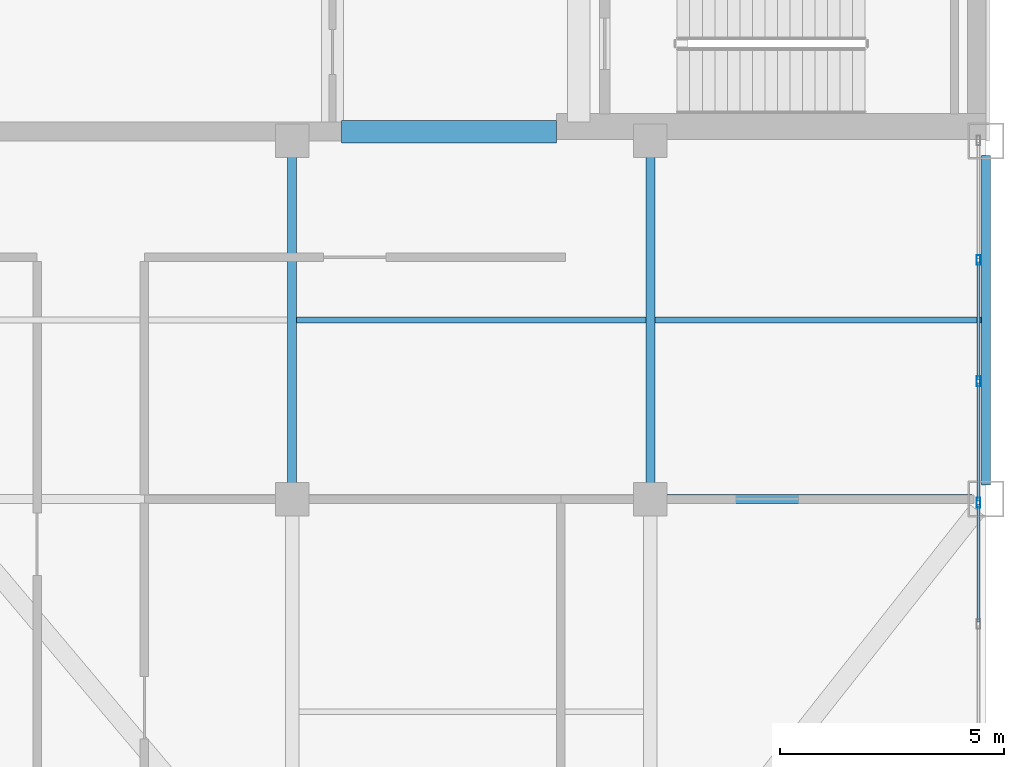
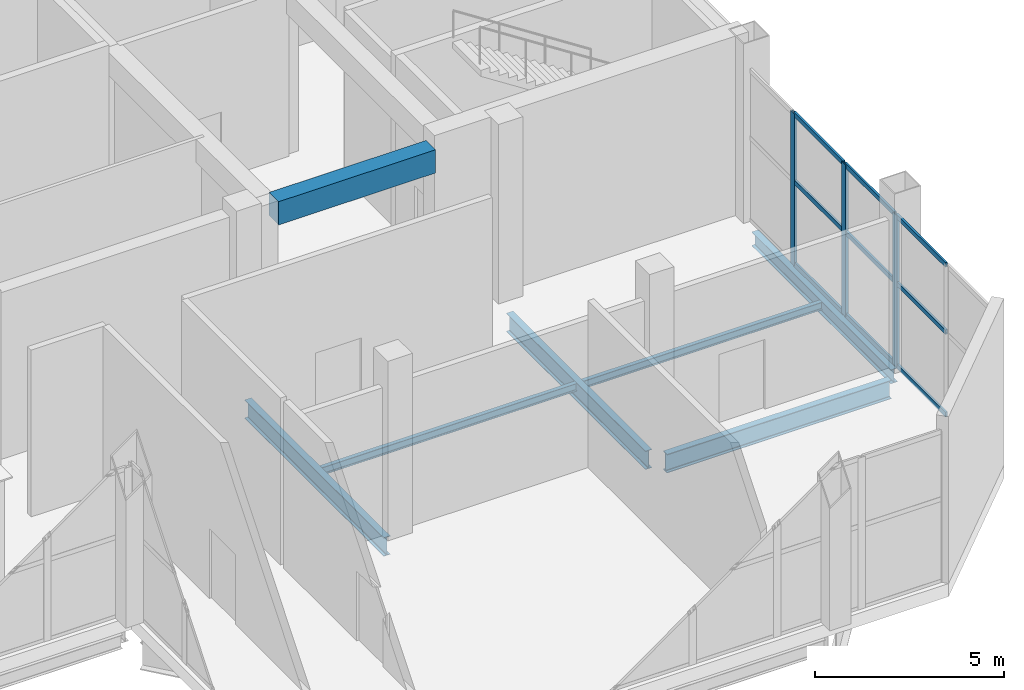
# One storey, part 9 of 18: 12 members, 7 beams, 1 element without a shape of its own.
"""IFC4 building model written with IfcOpenShell, lengths in metres."""

from ifc_helpers import new_model, si_unit, direction, frame, origin, origin_2d, place, context, subcontext, project, spatial, rectangle, hollow_rectangle, i_section, extrude, material, layer, layer_set, material_profile, profile_set, type_object, element, aggregate, save


model = new_model("IFC4")

# Units and contexts
model_context = context("Model", 3, precision=1e-05, world=origin(), true_north=direction((0.0, 1.0)))
body_context = subcontext(model_context, "Body", "Model", "MODEL_VIEW")
ifc_project = project(units=[si_unit("LENGTHUNIT", "METRE"), si_unit("AREAUNIT", "SQUARE_METRE"), si_unit("VOLUMEUNIT", "CUBIC_METRE"), si_unit("PLANEANGLEUNIT", "RADIAN"), si_unit("MASSUNIT", "GRAM", prefix="KILO")], contexts=[model_context])

# Site, building, storey
site_placement = place(None, origin())
site = spatial("IfcSite", under=ifc_project, at=site_placement, CompositionType="ELEMENT")
building_placement = place(site_placement, origin())
building = spatial("IfcBuilding", under=site, at=building_placement, Name="Qianrong Seaharbour Tower", CompositionType="ELEMENT")
storey_placement = place(building_placement, frame((0.0, 0.0, 367.199951171875)))
storey = spatial("IfcBuildingStorey", under=building, at=storey_placement, Name="L89", CompositionType="ELEMENT", Elevation=367.199951171875)

# Beams
ifc_material_1 = material(Name="Structural steel SN490B", Category="steel")
ifc_material_profile_1 = material_profile(ifc_material_1, i_section(OverallWidth=0.199951171875, OverallDepth=0.60009765625, WebThickness=0.010986328125, FlangeThickness=0.01708984375, FilletRadius=0.02197265625, at=origin_2d()), Name="H600x200x11x17")
ifc_profile_set_1 = profile_set([ifc_material_profile_1], Name="Structural steel SN490B")
beam_type_1 = type_object("IfcBeamType", Name="BM-G-600", PredefinedType="BEAM", material=ifc_profile_set_1)
beam_1_placement = place(storey_placement, frame((56.820068359375, 28.0, -0.719970703125), z_axis=(1.0, 0.0, 0.0), x_axis=(0.0, 1.0, 0.0)))
element("IfcBeam", 1, at=beam_1_placement, inside=storey, type_object=beam_type_1, Name="L89 Primary Girder GE G8-G9", PredefinedType="BEAM", context=body_context, shape_type="SweptSolid", body=[
    extrude(i_section(OverallWidth=0.199951171875, OverallDepth=0.60009765625, WebThickness=0.010986328125, FlangeThickness=0.01708984375, FilletRadius=0.02197265625, at=origin_2d()), origin(), (0.0, 0.0, 1.0), 6.85986328125),
])
for number, where, z_axis, x_axis, name in (
    (2, (48.5, 28.320068359375, -0.719970703125), (0.0, 1.0, 0.0), (-1.0, 0.0, 0.0), "L89 Primary Girder G7 GE-GF"),
    (3, (56.5, 28.320068359375, -0.719970703125), (0.0, 1.0, 0.0), (-1.0, 0.0, 0.0), "L89 Primary Girder G8 GE-GF"),
):
    element("IfcBeam", number, at=place(storey_placement, frame(where, z_axis=z_axis, x_axis=x_axis)), inside=storey, type_object=beam_type_1, Name=name, PredefinedType="BEAM", context=body_context, shape_type="SweptSolid", body=[
        extrude(i_section(OverallWidth=0.199951171875, OverallDepth=0.60009765625, WebThickness=0.010986328125, FlangeThickness=0.01708984375, FilletRadius=0.02197265625, at=origin_2d()), origin(), (0.0, 0.0, 1.0), 7.35986328125),
    ])
ifc_material_2 = material(Name="Structural steel SN400B", Category="steel")
ifc_material_profile_2 = material_profile(ifc_material_2, i_section(OverallWidth=0.125, OverallDepth=0.25, WebThickness=0.006103515625, FlangeThickness=0.009033203125, FilletRadius=0.011962890625, at=origin_2d()), Name="H250x125x6x9")
ifc_profile_set_2 = profile_set([ifc_material_profile_2], Name="Structural steel SN400B")
beam_type_2 = type_object("IfcBeamType", Name="BM-J-250", PredefinedType="JOIST", material=ifc_profile_set_2)
beam_2_placement = place(storey_placement, frame((48.60009765625, 32.0, -0.544921875), z_axis=(1.0, 0.0, 0.0), x_axis=(0.0, 1.0, 0.0)))
element("IfcBeam", 4, at=beam_2_placement, inside=storey, type_object=beam_type_2, Name="L89 Composite Floor Joist G7-G8/GE-GF", PredefinedType="JOIST", context=body_context, shape_type="SweptSolid", body=[
    extrude(i_section(OverallWidth=0.125, OverallDepth=0.25, WebThickness=0.006103515625, FlangeThickness=0.009033203125, FilletRadius=0.011962890625, at=origin_2d()), origin(), (0.0, 0.0, 1.0), 7.7998046875),
])
beam_3_placement = place(storey_placement, frame((56.60009765625, 32.0, -0.544921875), z_axis=(1.0, 0.0, 0.0), x_axis=(0.0, 1.0, 0.0)))
element("IfcBeam", 5, at=beam_3_placement, inside=storey, type_object=beam_type_2, Name="L89 Composite Floor Joist G8-G9/GE-GF", PredefinedType="JOIST", context=body_context, shape_type="SweptSolid", body=[
    extrude(i_section(OverallWidth=0.125, OverallDepth=0.25, WebThickness=0.006103515625, FlangeThickness=0.009033203125, FilletRadius=0.011962890625, at=origin_2d()), origin(), (0.0, 0.0, 1.0), 7.2998046875),
])
ifc_material_3 = material(Name="Concrete C60/75", Category="concrete")
ifc_material_profile_3 = material_profile(ifc_material_3, rectangle(XDim=0.5, YDim=0.75, at=origin_2d()), Name="RC500x750")
ifc_profile_set_3 = profile_set([ifc_material_profile_3], Name="Concrete C60/75")
beam_type_3 = type_object("IfcBeamType", Name="BM-LINTEL-750", PredefinedType="LINTEL", material=ifc_profile_set_3)
beam_4_placement = place(storey_placement, frame((49.60009765625, 36.2099609375, 5.01513671875), z_axis=(1.0, 0.0, 0.0), x_axis=(0.0, 1.0, 0.0)))
element("IfcBeam", 6, at=beam_4_placement, inside=storey, type_object=beam_type_3, Name="L89 Core Coupling Lintel Beam CBC", PredefinedType="LINTEL", context=body_context, shape_type="SweptSolid", body=[
    extrude(rectangle(XDim=0.5, YDim=0.75, at=origin_2d()), origin(), (0.0, 0.0, 1.0), 4.7998046875),
])
ifc_material_profile_4 = material_profile(ifc_material_2, i_section(OverallWidth=0.199951171875, OverallDepth=0.449951171875, WebThickness=0.009033203125, FlangeThickness=0.013916015625, FilletRadius=0.01806640625, at=origin_2d()), Name="H450x200x9x14")
ifc_profile_set_4 = profile_set([ifc_material_profile_4], Name="Structural steel SN400B")
beam_type_4 = type_object("IfcBeamType", Name="BM-SP-450", PredefinedType="SPANDREL", material=ifc_profile_set_4)
beam_5_placement = place(storey_placement, frame((64.0, 28.320068359375, -0.64501953125), z_axis=(0.0, 1.0, 0.0), x_axis=(-1.0, 0.0, 0.0)))
element("IfcBeam", 7, at=beam_5_placement, inside=storey, type_object=beam_type_4, Name="L89 Spandrel Girder G9 GE-GF", PredefinedType="SPANDREL", context=body_context, shape_type="SweptSolid", body=[
    extrude(i_section(OverallWidth=0.199951171875, OverallDepth=0.449951171875, WebThickness=0.009033203125, FlangeThickness=0.013916015625, FilletRadius=0.01806640625, at=origin_2d()), origin(), (0.0, 0.0, 1.0), 7.35986328125),
])

# Curtain wall, members
ifc_material_4 = material(Name="Anodised aluminium 6063-T6 and laminated low-e glass", Category="aluminium")
ifc_layer = layer(ifc_material_4, 0.22998046875)
ifc_layer_set = layer_set([ifc_layer], Name="Anodised aluminium 6063-T6 and laminated low-e glass")
curtain_wall_type = type_object("IfcCurtainWallType", Name="CW-SYS-5", PredefinedType="NOTDEFINED", material=ifc_layer_set)
curtain_wall_placement = place(storey_placement, origin())
curtain_wall = element("IfcCurtainWall", 8, at=curtain_wall_placement, inside=storey, type_object=curtain_wall_type, Name="L89 Venturi Wind-Turbine Shroud Curtain Wall EAST_WING", PredefinedType="NOTDEFINED")
ifc_material_5 = material(Name="Extruded aluminium 6063-T6", Category="aluminium")
ifc_material_profile_5 = material_profile(ifc_material_5, hollow_rectangle(XDim=0.080078125, YDim=0.219970703125, WallThickness=0.0048828125, at=origin_2d()), Name="ALU-MUL-220x80x5")
ifc_profile_set_5 = profile_set([ifc_material_profile_5], Name="Extruded aluminium 6063-T6")
member_type_1 = type_object("IfcMemberType", Name="CW-MUL-220", PredefinedType="MULLION", material=ifc_profile_set_5)
member_1_placement = place(storey_placement, frame((63.830078125, 33.340087890625, 0.0), z_axis=(0.0, 0.0, 1.0), x_axis=(1.0, 0.0, 0.0)))
member_1 = element("IfcMember", 9, at=member_1_placement, type_object=member_type_1, Name="CW-5 mullion 2", PredefinedType="MULLION", context=body_context, shape_type="SweptSolid", body=[
    extrude(hollow_rectangle(XDim=0.080078125, YDim=0.219970703125, WallThickness=0.0048828125, at=origin_2d()), origin(), (0.0, 0.0, 1.0), 4.900146484375),
])
member_2_placement = place(storey_placement, frame((63.830078125, 30.6298828125, 0.0), z_axis=(0.0, 0.0, 1.0), x_axis=(1.0, 0.0, 0.0)))
member_2 = element("IfcMember", 10, at=member_2_placement, type_object=member_type_1, Name="CW-5 mullion 3", PredefinedType="MULLION", context=body_context, shape_type="SweptSolid", body=[
    extrude(hollow_rectangle(XDim=0.080078125, YDim=0.219970703125, WallThickness=0.0048828125, at=origin_2d()), origin(), (0.0, 0.0, 1.0), 4.900146484375),
])
member_3_placement = place(storey_placement, frame((63.830078125, 27.919921875, 0.0), z_axis=(0.0, 0.0, 1.0), x_axis=(1.0, 0.0, 0.0)))
member_3 = element("IfcMember", 11, at=member_3_placement, type_object=member_type_1, Name="CW-5 mullion 4", PredefinedType="MULLION", context=body_context, shape_type="SweptSolid", body=[
    extrude(hollow_rectangle(XDim=0.080078125, YDim=0.219970703125, WallThickness=0.0048828125, at=origin_2d()), origin(), (0.0, 0.0, 1.0), 4.900146484375),
])
ifc_material_profile_6 = material_profile(ifc_material_5, hollow_rectangle(XDim=0.06494140625, YDim=0.14990234375, WallThickness=0.00390625, at=origin_2d()), Name="ALU-TRN-150x65x4")
ifc_profile_set_6 = profile_set([ifc_material_profile_6], Name="Extruded aluminium 6063-T6")
member_type_2 = type_object("IfcMemberType", Name="CW-TRN-150", PredefinedType="USERDEFINED", material=ifc_profile_set_6)
member_4_placement = place(storey_placement, frame((63.830078125, 33.300048828125, 0.032470703125), z_axis=(0.0, -1.0, 0.0), x_axis=(1.0, 0.0, 0.0)))
member_4 = element("IfcMember", 12, at=member_4_placement, type_object=member_type_2, Name="CW-5 transom 2.1", ObjectType="TRANSOM", PredefinedType="USERDEFINED", context=body_context, shape_type="SweptSolid", body=[
    extrude(hollow_rectangle(XDim=0.06494140625, YDim=0.14990234375, WallThickness=0.00390625, at=origin_2d()), origin(), (0.0, 0.0, 1.0), 2.630126953125),
])
member_5_placement = place(storey_placement, frame((63.830078125, 33.300048828125, 2.695068359375), z_axis=(0.0, -1.0, 0.0), x_axis=(1.0, 0.0, 0.0)))
member_5 = element("IfcMember", 13, at=member_5_placement, type_object=member_type_2, Name="CW-5 transom 2.2", ObjectType="TRANSOM", PredefinedType="USERDEFINED", context=body_context, shape_type="SweptSolid", body=[
    extrude(hollow_rectangle(XDim=0.06494140625, YDim=0.14990234375, WallThickness=0.00390625, at=origin_2d()), origin(), (0.0, 0.0, 1.0), 2.630126953125),
])
member_6_placement = place(storey_placement, frame((63.830078125, 33.300048828125, 4.867431640625), z_axis=(0.0, -1.0, 0.0), x_axis=(1.0, 0.0, 0.0)))
member_6 = element("IfcMember", 14, at=member_6_placement, type_object=member_type_2, Name="CW-5 transom 2.3", ObjectType="TRANSOM", PredefinedType="USERDEFINED", context=body_context, shape_type="SweptSolid", body=[
    extrude(hollow_rectangle(XDim=0.06494140625, YDim=0.14990234375, WallThickness=0.00390625, at=origin_2d()), origin(), (0.0, 0.0, 1.0), 2.630126953125),
])
member_7_placement = place(storey_placement, frame((63.830078125, 30.590087890625, 0.032470703125), z_axis=(0.0, -1.0, 0.0), x_axis=(1.0, 0.0, 0.0)))
member_7 = element("IfcMember", 15, at=member_7_placement, type_object=member_type_2, Name="CW-5 transom 3.1", ObjectType="TRANSOM", PredefinedType="USERDEFINED", context=body_context, shape_type="SweptSolid", body=[
    extrude(hollow_rectangle(XDim=0.06494140625, YDim=0.14990234375, WallThickness=0.00390625, at=origin_2d()), origin(), (0.0, 0.0, 1.0), 2.630126953125),
])
member_8_placement = place(storey_placement, frame((63.830078125, 30.590087890625, 2.695068359375), z_axis=(0.0, -1.0, 0.0), x_axis=(1.0, 0.0, 0.0)))
member_8 = element("IfcMember", 16, at=member_8_placement, type_object=member_type_2, Name="CW-5 transom 3.2", ObjectType="TRANSOM", PredefinedType="USERDEFINED", context=body_context, shape_type="SweptSolid", body=[
    extrude(hollow_rectangle(XDim=0.06494140625, YDim=0.14990234375, WallThickness=0.00390625, at=origin_2d()), origin(), (0.0, 0.0, 1.0), 2.630126953125),
])
member_9_placement = place(storey_placement, frame((63.830078125, 30.590087890625, 4.867431640625), z_axis=(0.0, -1.0, 0.0), x_axis=(1.0, 0.0, 0.0)))
member_9 = element("IfcMember", 17, at=member_9_placement, type_object=member_type_2, Name="CW-5 transom 3.3", ObjectType="TRANSOM", PredefinedType="USERDEFINED", context=body_context, shape_type="SweptSolid", body=[
    extrude(hollow_rectangle(XDim=0.06494140625, YDim=0.14990234375, WallThickness=0.00390625, at=origin_2d()), origin(), (0.0, 0.0, 1.0), 2.630126953125),
])
member_10_placement = place(storey_placement, frame((63.830078125, 27.8798828125, 0.032470703125), z_axis=(0.0, -1.0, 0.0), x_axis=(1.0, 0.0, 0.0)))
member_10 = element("IfcMember", 18, at=member_10_placement, type_object=member_type_2, Name="CW-5 transom 4.1", ObjectType="TRANSOM", PredefinedType="USERDEFINED", context=body_context, shape_type="SweptSolid", body=[
    extrude(hollow_rectangle(XDim=0.06494140625, YDim=0.14990234375, WallThickness=0.00390625, at=origin_2d()), origin(), (0.0, 0.0, 1.0), 2.6298828125),
])
member_11_placement = place(storey_placement, frame((63.830078125, 27.8798828125, 2.695068359375), z_axis=(0.0, -1.0, 0.0), x_axis=(1.0, 0.0, 0.0)))
member_11 = element("IfcMember", 19, at=member_11_placement, type_object=member_type_2, Name="CW-5 transom 4.2", ObjectType="TRANSOM", PredefinedType="USERDEFINED", context=body_context, shape_type="SweptSolid", body=[
    extrude(hollow_rectangle(XDim=0.06494140625, YDim=0.14990234375, WallThickness=0.00390625, at=origin_2d()), origin(), (0.0, 0.0, 1.0), 2.6298828125),
])
member_12_placement = place(storey_placement, frame((63.830078125, 27.8798828125, 4.867431640625), z_axis=(0.0, -1.0, 0.0), x_axis=(1.0, 0.0, 0.0)))
member_12 = element("IfcMember", 20, at=member_12_placement, type_object=member_type_2, Name="CW-5 transom 4.3", ObjectType="TRANSOM", PredefinedType="USERDEFINED", context=body_context, shape_type="SweptSolid", body=[
    extrude(hollow_rectangle(XDim=0.06494140625, YDim=0.14990234375, WallThickness=0.00390625, at=origin_2d()), origin(), (0.0, 0.0, 1.0), 2.6298828125),
])
aggregate(curtain_wall, [member_1, member_2, member_3, member_4, member_5, member_6, member_7, member_8, member_9, member_10, member_11, member_12])

save(model, "model.ifc")
